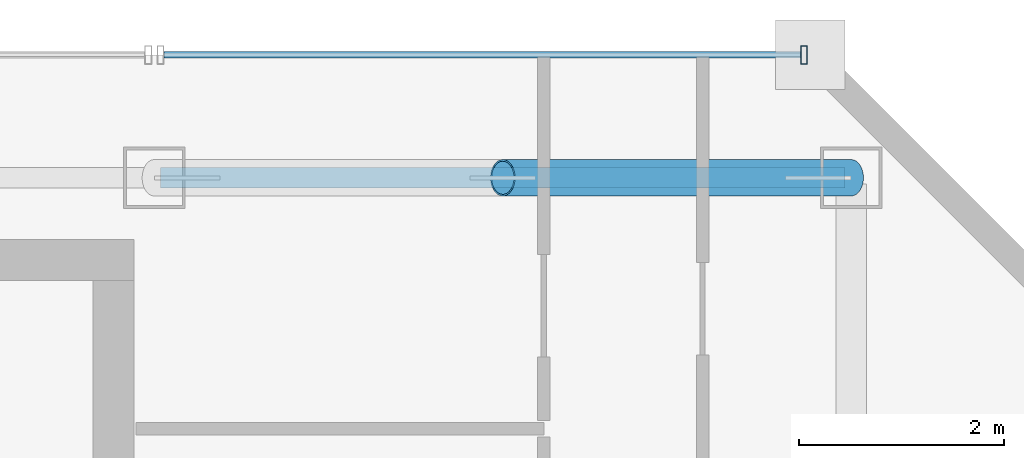
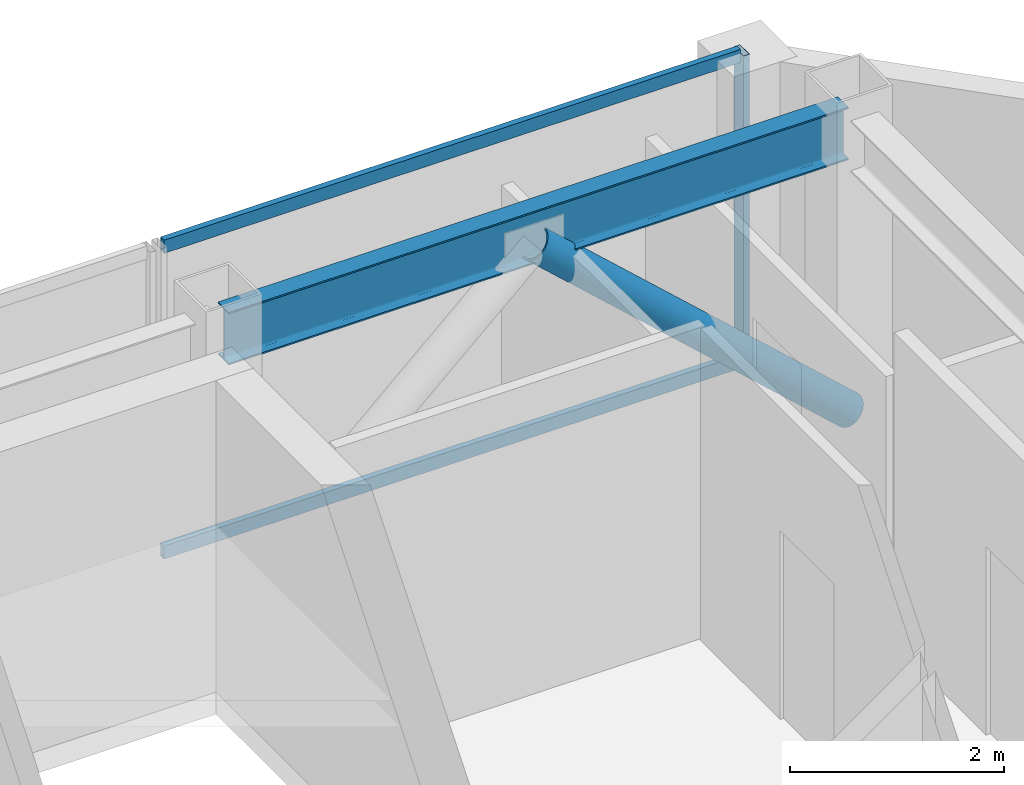
# One storey, part 24 of 32: 4 members, 1 beam, 1 element without a shape of its own.
"""IFC4 building model written with IfcOpenShell, lengths in metres."""

from ifc_helpers import new_model, si_unit, direction, frame, origin, origin_2d, place, context, subcontext, project, spatial, hollow_rectangle, hollow_circle, i_section, extrude, material, material_profile, profile_set, type_object, element, aggregate, save


model = new_model("IFC4")

# Units and contexts
model_context = context("Model", 3, precision=1e-05, world=origin(), true_north=direction((0.0, 1.0)))
body_context = subcontext(model_context, "Body", "Model", "MODEL_VIEW")
ifc_project = project(units=[si_unit("LENGTHUNIT", "METRE"), si_unit("AREAUNIT", "SQUARE_METRE"), si_unit("VOLUMEUNIT", "CUBIC_METRE"), si_unit("PLANEANGLEUNIT", "RADIAN"), si_unit("MASSUNIT", "GRAM", prefix="KILO")], contexts=[model_context])

# Site, building, storey
site_placement = place(None, origin())
site = spatial("IfcSite", under=ifc_project, at=site_placement, CompositionType="ELEMENT")
building_placement = place(site_placement, origin())
building = spatial("IfcBuilding", under=site, at=building_placement, Name="Saevonmaru Cultural Tower", CompositionType="ELEMENT")
storey_placement = place(building_placement, frame((0.0, 0.0, 261.0)))
storey = spatial("IfcBuildingStorey", under=building, at=storey_placement, Name="L61", CompositionType="ELEMENT", Elevation=261.0)

# Beam
ifc_material_1 = material(Name="Steel SM355", Category="steel")
ifc_material_profile_1 = material_profile(ifc_material_1, i_section(OverallWidth=0.199951171875, OverallDepth=0.60009765625, WebThickness=0.010986328125, FlangeThickness=0.01708984375, FilletRadius=0.02197265625, at=origin_2d()), Name="H-600x200x11x17")
ifc_profile_set_1 = profile_set([ifc_material_profile_1], Name="Steel SM355")
beam_type = type_object("IfcBeamType", Name="BM-SP-H600", PredefinedType="SPANDREL", material=ifc_profile_set_1)
beam_placement = place(storey_placement, frame((46.4599609375, 54.800048828125, 3.25), z_axis=(1.0, 0.0, 0.0), x_axis=(0.0, 1.0, 0.0)))
element("IfcBeam", 1, at=beam_placement, inside=storey, type_object=beam_type, Name="L61 North Spine Girder 5", PredefinedType="SPANDREL", context=body_context, shape_type="SweptSolid", body=[
    extrude(i_section(OverallWidth=0.199951171875, OverallDepth=0.60009765625, WebThickness=0.010986328125, FlangeThickness=0.01708984375, FilletRadius=0.02197265625, at=origin_2d()), origin(), (0.0, 0.0, 1.0), 6.679931640625),
])

# Member
ifc_material_profile_2 = material_profile(ifc_material_1, hollow_circle(Radius=0.177734375, WallThickness=0.01611328125, at=origin_2d()), Name="CHS-355.6x16")
ifc_profile_set_2 = profile_set([ifc_material_profile_2], Name="Steel SM355")
member_type_1 = type_object("IfcMemberType", Name="MB-PBR-CHS356", PredefinedType="BRACE", material=ifc_profile_set_2)
member_1_placement = place(storey_placement, frame((53.199951171875, 54.800048828125, 0.02001953125), z_axis=(-0.738935641579, 0.0, 0.673776014417), x_axis=(0.0, -1.0, 0.0)))
element("IfcMember", 2, at=member_1_placement, inside=storey, type_object=member_type_1, Name="L61 Perimeter Braced-Tube Diagonal EN2", PredefinedType="BRACE", context=body_context, shape_type="SweptSolid", body=[
    extrude(hollow_circle(Radius=0.177734375, WallThickness=0.01611328125, at=origin_2d()), origin(), (0.0, 0.0, 1.0), 4.60107421875),
])

# Curtain wall, members
ifc_material_2 = material(Name="Satin Bronze Anodised Aluminium", Category="aluminium")
curtain_wall_type = type_object("IfcCurtainWallType", Name="CW-TYP-B", PredefinedType="NOTDEFINED", material=ifc_material_2)
curtain_wall_placement = place(storey_placement, origin())
curtain_wall = element("IfcCurtainWall", 3, at=curtain_wall_placement, inside=storey, type_object=curtain_wall_type, Name="L61 East Braced Bay Spandrel Curtain Wall E10A", PredefinedType="NOTDEFINED")
ifc_material_profile_3 = material_profile(ifc_material_2, hollow_rectangle(XDim=0.06494140625, YDim=0.179931640625, WallThickness=0.00390625, at=origin_2d()), Name="ALU-MULL-180x65x4")
ifc_profile_set_3 = profile_set([ifc_material_profile_3], Name="Satin Bronze Anodised Aluminium")
member_type_2 = type_object("IfcMemberType", Name="ML-CW-180x65", PredefinedType="MULLION", material=ifc_profile_set_3)
member_2_placement = place(storey_placement, frame((52.739990234375, 56.0, 0.0), z_axis=(0.0, 0.0, 1.0), x_axis=(-1.0, 0.0, 0.0)))
member_2 = element("IfcMember", 4, at=member_2_placement, type_object=member_type_2, Name="CW-TW-L61-E10A mullion 1", PredefinedType="MULLION", context=body_context, shape_type="SweptSolid", body=[
    extrude(hollow_rectangle(XDim=0.06494140625, YDim=0.179931640625, WallThickness=0.00390625, at=origin_2d()), origin(), (0.0, 0.0, 1.0), 3.550048828125),
])
ifc_material_profile_4 = material_profile(ifc_material_2, hollow_rectangle(XDim=0.06494140625, YDim=0.14990234375, WallThickness=0.00390625, at=origin_2d()), Name="ALU-TRAN-150x65x4")
ifc_profile_set_4 = profile_set([ifc_material_profile_4], Name="Satin Bronze Anodised Aluminium")
member_type_3 = type_object("IfcMemberType", Name="TR-CW-150x65", PredefinedType="USERDEFINED", material=ifc_profile_set_4)
member_3_placement = place(storey_placement, frame((52.70751953125, 56.0, 0.032470703125), z_axis=(-1.0, 0.0, 0.0), x_axis=(0.0, -1.0, 0.0)))
member_3 = element("IfcMember", 5, at=member_3_placement, type_object=member_type_3, Name="CW-TW-L61-E10A transom 1.1", ObjectType="TRANSOM", PredefinedType="USERDEFINED", context=body_context, shape_type="SweptSolid", body=[
    extrude(hollow_rectangle(XDim=0.06494140625, YDim=0.14990234375, WallThickness=0.00390625, at=origin_2d()), origin(), (0.0, 0.0, 1.0), 6.215087890625),
])
member_4_placement = place(storey_placement, frame((52.70751953125, 56.0, 3.517578125), z_axis=(-1.0, 0.0, 0.0), x_axis=(0.0, -1.0, 0.0)))
member_4 = element("IfcMember", 6, at=member_4_placement, type_object=member_type_3, Name="CW-TW-L61-E10A transom 1.2", ObjectType="TRANSOM", PredefinedType="USERDEFINED", context=body_context, shape_type="SweptSolid", body=[
    extrude(hollow_rectangle(XDim=0.06494140625, YDim=0.14990234375, WallThickness=0.00390625, at=origin_2d()), origin(), (0.0, 0.0, 1.0), 6.215087890625),
])
aggregate(curtain_wall, [member_2, member_3, member_4])

save(model, "model.ifc")
